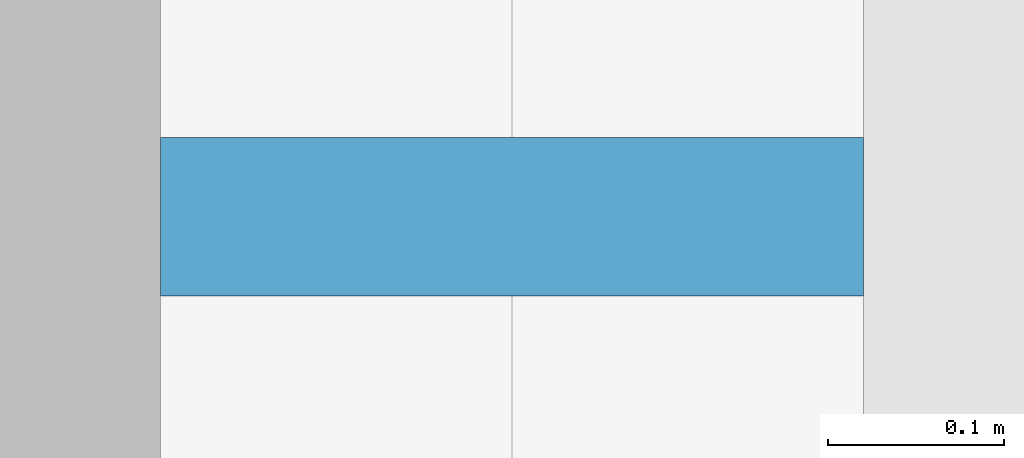
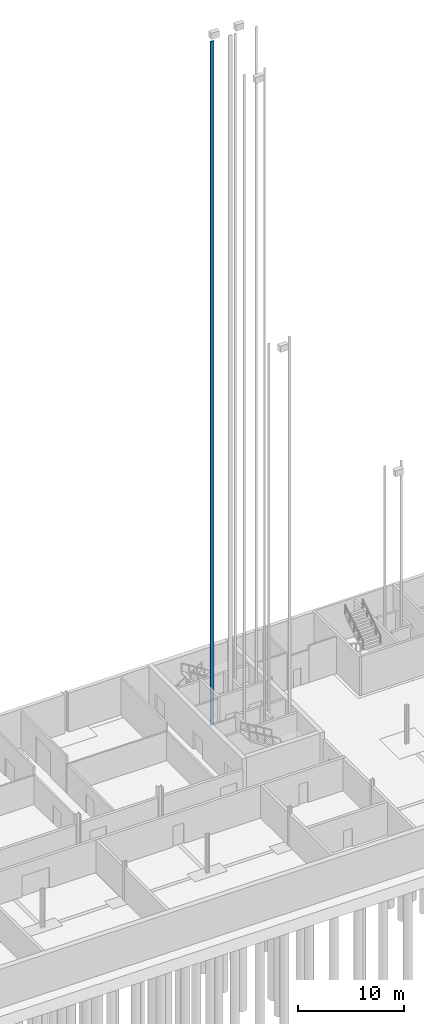
# One storey, part 30 of 41: 1 discrete accessory.
"""IFC4 building model written with IfcOpenShell, lengths in metres."""

import ifcopenshell
import ifcopenshell.guid

model = None  # the IFC model being written
_history = None  # IfcOwnerHistory: only IFC2X3 demands one
_inside = {}  # id of a spatial element -> (the spatial element, [elements in it])
_under = {}  # id of a project, library or spatial element -> (it, [spatial elements below it])
_declared = {}  # id of a project -> (the project, [libraries it declares])
_typed = {}  # id of a type object -> (the type object, [elements of that type])
_made_of = {}  # id of a material, layer set ... -> (it, [elements and type objects made of it])


def new_model(schema):
    """Start an empty IFC model of exactly this schema.

    Asked for "IFC4X3", IfcOpenShell would pick the latest addendum, in which some entities
    have other attributes; the version numbers below select the first issue.
    IFC2X3 requires an IfcOwnerHistory on every rooted entity: one is made here for all.
    """
    global model, _history
    if schema == "IFC4X3":
        model = ifcopenshell.file(schema_version=(4, 3, 0, 0))
    else:
        model = ifcopenshell.file(schema=schema)
    _inside.clear()
    _under.clear()
    _declared.clear()
    _typed.clear()
    _made_of.clear()
    _history = None
    if model.schema == "IFC2X3":
        org = make("IfcOrganization", Name="unknown")
        user = make(
            "IfcPersonAndOrganization",
            ThePerson=make("IfcPerson", FamilyName="unknown"),
            TheOrganization=org,
        )
        app = make(
            "IfcApplication",
            ApplicationDeveloper=org,
            Version="unknown",
            ApplicationFullName="unknown",
            ApplicationIdentifier="unknown",
        )
        _history = make(
            "IfcOwnerHistory",
            OwningUser=user,
            OwningApplication=app,
            ChangeAction="ADDED",
            CreationDate=0,
        )
    return model


def make(cls, **values):
    """One entity of the class cls with the attributes given. An attribute that is None is left unset."""
    return model.create_entity(
        cls, **{name: value for name, value in values.items() if value is not None}
    )


def rooted(cls, **values):
    """An entity with a GlobalId (a new one), such as an element, a storey or a relation."""
    return make(cls, GlobalId=ifcopenshell.guid.new(), OwnerHistory=_history, **values)


def si_unit(unit_type, name, prefix=None):
    """IfcSIUnit, for example si_unit("LENGTHUNIT", "METRE", prefix="MILLI")."""
    return make("IfcSIUnit", UnitType=unit_type, Prefix=prefix, Name=name)


def assignment(units):
    """IfcUnitAssignment: the units of a project."""
    return None if units is None else make("IfcUnitAssignment", Units=units)


def point(xyz):
    """IfcCartesianPoint."""
    return None if xyz is None else make("IfcCartesianPoint", Coordinates=xyz)


def direction(xyz):
    """IfcDirection."""
    return None if xyz is None else make("IfcDirection", DirectionRatios=xyz)


def frame(location, z_axis=None, x_axis=None):
    """IfcAxis2Placement3D, a coordinate frame: its origin and axes. An axis left out is left unset."""
    return make(
        "IfcAxis2Placement3D",
        Location=point(location),
        Axis=direction(z_axis),
        RefDirection=direction(x_axis),
    )


def frame_2d(location, x_axis=None):
    """IfcAxis2Placement2D, a coordinate frame in the plane: its origin and x axis."""
    return make(
        "IfcAxis2Placement2D", Location=point(location), RefDirection=direction(x_axis)
    )


def origin():
    """The frame at (0, 0, 0) with its axes left unset."""
    return frame((0.0, 0.0, 0.0))


def origin_2d():
    """The frame at (0, 0) in the plane with its x axis left unset."""
    return frame_2d((0.0, 0.0))


def place(relative_to, where):
    """IfcLocalPlacement: puts the frame where relative to a parent placement (None: the world)."""
    return make(
        "IfcLocalPlacement", PlacementRelTo=relative_to, RelativePlacement=where
    )


def context(
    kind, dimensions, precision=None, world=None, true_north=None, identifier=None
):
    """IfcGeometricRepresentationContext, for example the 3D "Model" context."""
    return make(
        "IfcGeometricRepresentationContext",
        ContextIdentifier=identifier,
        ContextType=kind,
        CoordinateSpaceDimension=dimensions,
        Precision=precision,
        WorldCoordinateSystem=world,
        TrueNorth=true_north,
    )


def subcontext(parent, identifier, kind, view, scale=None):
    """IfcGeometricRepresentationSubContext, for example "Body" below "Model"."""
    return make(
        "IfcGeometricRepresentationSubContext",
        ContextIdentifier=identifier,
        ContextType=kind,
        ParentContext=parent,
        TargetScale=scale,
        TargetView=view,
    )


def project(units=None, contexts=None):
    """IfcProject with its units and contexts."""
    return rooted(
        "IfcProject",
        Name="project",
        RepresentationContexts=contexts,
        UnitsInContext=assignment(units),
    )


def spatial(cls, under=None, at=None, **own):
    """A site, building, storey or space (cls), placed at a placement, below another one or the project."""
    s = rooted(cls, ObjectPlacement=at, **own)
    if under is not None:
        _under.setdefault(under.id(), (under, []))[1].append(s)
    return s


def profile(cls, at=None, kind="AREA", **sizes):
    """A parametric profile (cls). Its sizes go by their IFC names, for example OverallWidth=200.0."""
    return make(cls, ProfileType=kind, Position=at, **sizes)


def rectangle(**sizes):
    """IfcRectangleProfileDef."""
    return profile("IfcRectangleProfileDef", **sizes)


def extrude(swept, where, along, depth):
    """IfcExtrudedAreaSolid: the profile swept, set in the frame where, extruded along a direction by depth."""
    return make(
        "IfcExtrudedAreaSolid",
        SweptArea=swept,
        Position=where,
        ExtrudedDirection=direction(along),
        Depth=depth,
    )


def shape(context_of_items, identifier, shape_type, items):
    """IfcShapeRepresentation: the items that make up one representation, for example the "Body"."""
    return make(
        "IfcShapeRepresentation",
        ContextOfItems=context_of_items,
        RepresentationIdentifier=identifier,
        RepresentationType=shape_type,
        Items=items,
    )


def material(Name=None, Category=None):
    """IfcMaterial."""
    return make("IfcMaterial", Name=Name, Category=Category)


def made_of(thing, what):
    """Note that an element or type object is made of a material, layer set ...; save() writes the relation."""
    if what is not None:
        _made_of.setdefault(what.id(), (what, []))[1].append(thing)
    return thing


def type_object(cls, material=None, **own):
    """A type object (cls), such as IfcWallType, which elements share."""
    return made_of(rooted(cls, **own), material)


def element(
    cls,
    number,
    at=None,
    inside=None,
    cuts=None,
    type_object=None,
    material=None,
    context=None,
    identifier="Body",
    shape_type=None,
    held_by="IfcProductDefinitionShape",
    body=None,
    shapes=None,
    **own,
):
    """One element of the class cls, such as IfcWall. Its Tag is "e" and its number.

    at: its placement. inside: the storey or other place that contains it. cuts: it is an
    opening in that element (IfcRelVoidsElement). A single representation is given by context,
    identifier, shape_type and body (its items); several are given by shapes. held_by: the class
    of the entity that holds the representations. save() writes the other relations.
    """
    e = rooted(cls, Tag="e%d" % number, ObjectPlacement=at, **own)
    if body is not None:
        shapes = [shape(context, identifier, shape_type, body)]
    if shapes is not None:
        e.Representation = make(held_by, Representations=shapes)
    if inside is not None:
        _inside.setdefault(inside.id(), (inside, []))[1].append(e)
    if cuts is not None:
        rooted(
            "IfcRelVoidsElement", RelatingBuildingElement=cuts, RelatedOpeningElement=e
        )
    if type_object is not None:
        _typed.setdefault(type_object.id(), (type_object, []))[1].append(e)
    return made_of(e, material)


def aggregate(whole, parts):
    """IfcRelAggregates: a whole, such as a stair, and the parts it consists of."""
    return rooted("IfcRelAggregates", RelatingObject=whole, RelatedObjects=parts)


def save(model, path):
    """Write the relations noted so far, then the file.

    IfcRelAggregates (storeys below a building ...), IfcRelContainedInSpatialStructure (elements
    in a storey), IfcRelDefinesByType, IfcRelAssociatesMaterial and IfcRelDeclares: one each for
    every whole, place, type object, material and project.
    """
    for whole, parts in _under.values():
        aggregate(whole, parts)
    for where, things in _inside.values():
        rooted(
            "IfcRelContainedInSpatialStructure",
            RelatedElements=things,
            RelatingStructure=where,
        )
    for kind, things in _typed.values():
        rooted("IfcRelDefinesByType", RelatedObjects=things, RelatingType=kind)
    for what, things in _made_of.values():
        rooted("IfcRelAssociatesMaterial", RelatedObjects=things, RelatingMaterial=what)
    for by, libraries in _declared.values():
        rooted("IfcRelDeclares", RelatingContext=by, RelatedDefinitions=libraries)
    model.write(path)


model = new_model("IFC4")

# Units and contexts
model_context = context("Model", 3, precision=1e-05, world=origin(), true_north=direction((0.0, 1.0)))
body_context = subcontext(model_context, "Body", "Model", "MODEL_VIEW")
ifc_project = project(units=[si_unit("LENGTHUNIT", "METRE"), si_unit("AREAUNIT", "SQUARE_METRE"), si_unit("VOLUMEUNIT", "CUBIC_METRE"), si_unit("PLANEANGLEUNIT", "RADIAN"), si_unit("MASSUNIT", "GRAM", prefix="KILO")], contexts=[model_context])

# Site, building, storey
site_placement = place(None, origin())
site = spatial("IfcSite", under=ifc_project, at=site_placement, CompositionType="ELEMENT")
building_placement = place(site_placement, origin())
building = spatial("IfcBuilding", under=site, at=building_placement, Name="Corbel Yard City Hall", CompositionType="ELEMENT")
storey_placement = place(building_placement, frame((0.0, 0.0, -4.5)))
storey = spatial("IfcBuildingStorey", under=building, at=storey_placement, Name="B1", CompositionType="ELEMENT", Elevation=-4.5)

# Discrete accessory
ifc_material = material(Name="Steel Grade G250", Category="steel")
discrete_accessory_type = type_object("IfcDiscreteAccessoryType", Name="LR1", PredefinedType="USERDEFINED", material=ifc_material)
discrete_accessory_placement = place(storey_placement, frame((48.550048828125, 110.85009765625, 0.0), z_axis=(0.0, 0.0, 1.0), x_axis=(1.0, 0.0, 0.0)))
element("IfcDiscreteAccessory", 1, at=discrete_accessory_placement, inside=storey, type_object=discrete_accessory_type, Name="Lift LF2 guide rail 1", ObjectType="GUIDE RAIL", PredefinedType="USERDEFINED", context=body_context, shape_type="SweptSolid", body=[
    extrude(rectangle(XDim=0.39990234375, YDim=0.090087890625, at=origin_2d()), origin(), (0.0, 0.0, 1.0), 79.0),
])

save(model, "model.ifc")
